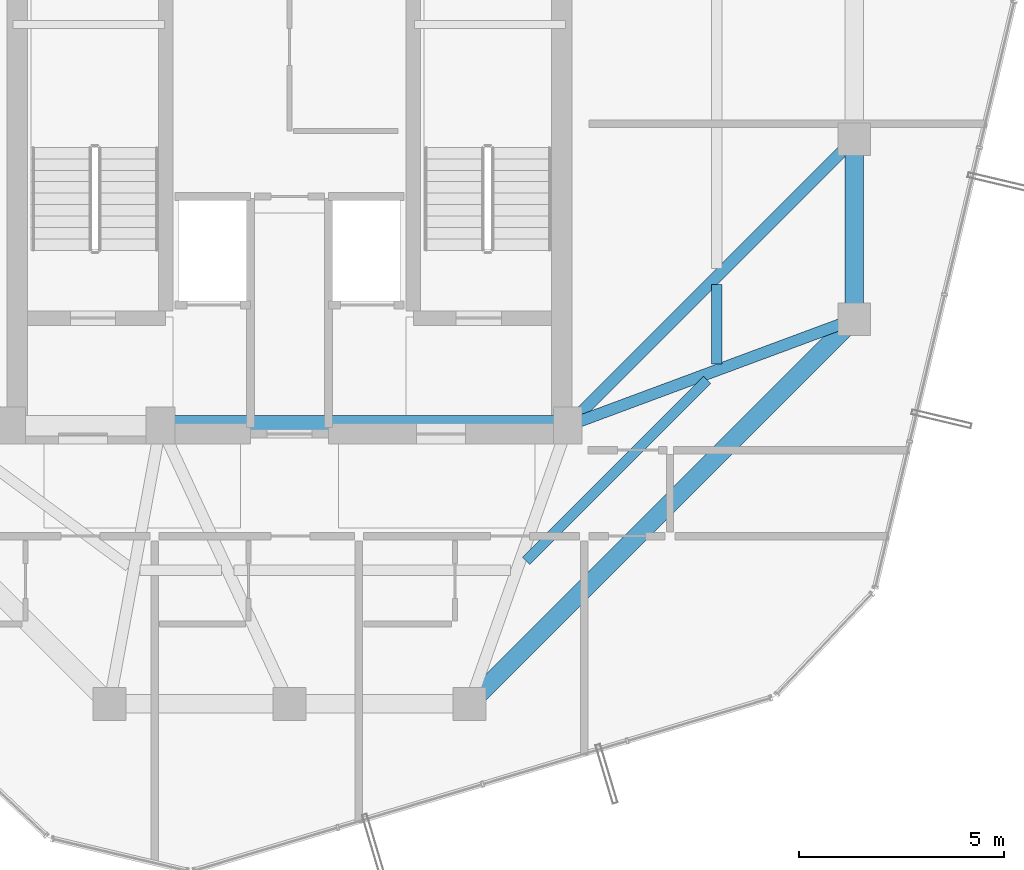
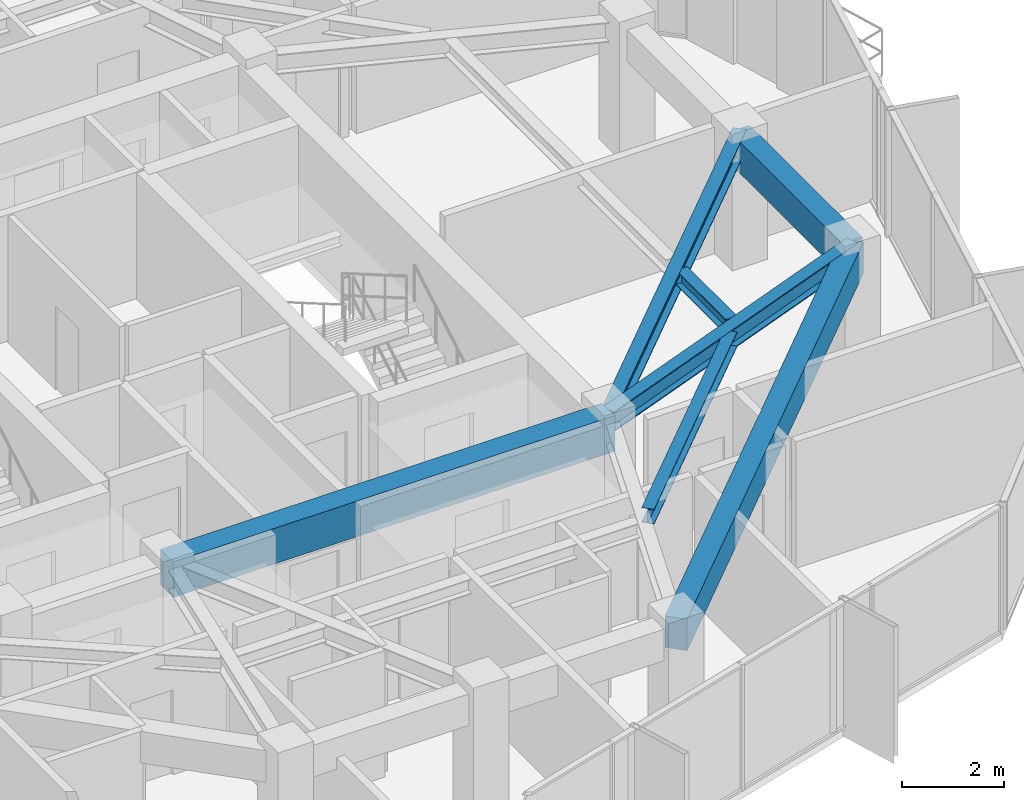
# One storey, part 10 of 28: 7 beams.
"""IFC4 building model written with IfcOpenShell, lengths in metres."""

from ifc_helpers import new_model, si_unit, direction, frame, origin, origin_2d, place, context, subcontext, project, spatial, rectangle, i_section, extrude, material, material_profile, profile_set, type_object, element, save


model = new_model("IFC4")

# Units and contexts
model_context = context("Model", 3, precision=1e-05, world=origin(), true_north=direction((0.0, 1.0)))
body_context = subcontext(model_context, "Body", "Model", "MODEL_VIEW")
ifc_project = project(units=[si_unit("LENGTHUNIT", "METRE"), si_unit("AREAUNIT", "SQUARE_METRE"), si_unit("VOLUMEUNIT", "CUBIC_METRE"), si_unit("PLANEANGLEUNIT", "RADIAN"), si_unit("MASSUNIT", "GRAM", prefix="KILO")], contexts=[model_context])

# Site, building, storey
site_placement = place(None, origin())
site = spatial("IfcSite", under=ifc_project, at=site_placement, CompositionType="ELEMENT")
building_placement = place(site_placement, origin())
building = spatial("IfcBuilding", under=site, at=building_placement, Name="Veraguas Prism Commons", CompositionType="ELEMENT")
storey_placement = place(building_placement, frame((0.0, 0.0, 254.5)))
storey = spatial("IfcBuildingStorey", under=building, at=storey_placement, Name="L72", CompositionType="ELEMENT", Elevation=254.5)

# Beams
ifc_material_1 = material(Name="Concrete C50/60", Category="concrete")
ifc_material_profile_1 = material_profile(ifc_material_1, rectangle(XDim=0.5, YDim=0.85009765625, at=origin_2d()), Name="RC500X850")
ifc_profile_set_1 = profile_set([ifc_material_profile_1], Name="Concrete C50/60")
beam_type_1 = type_object("IfcBeamType", Name="Core Coupling Beam RC 500x850", PredefinedType="BEAM", material=ifc_profile_set_1)
beam_1_placement = place(storey_placement, frame((20.85009765625, 17.0, 2.590087890625), z_axis=(1.0, 0.0, 0.0), x_axis=(0.0, 1.0, 0.0)))
element("IfcBeam", 1, at=beam_1_placement, inside=storey, type_object=beam_type_1, Name="Core Coupling Beam L72-CRS2", PredefinedType="BEAM", context=body_context, shape_type="SweptSolid", body=[
    extrude(rectangle(XDim=0.5, YDim=0.85009765625, at=origin_2d()), origin(), (0.0, 0.0, 1.0), 9.949951171875),
])
ifc_material_profile_2 = material_profile(ifc_material_1, rectangle(XDim=0.449951171875, YDim=0.75, at=origin_2d()), Name="RC450X750")
ifc_profile_set_2 = profile_set([ifc_material_profile_2], Name="Concrete C50/60")
beam_type_2 = type_object("IfcBeamType", Name="Perimeter Spandrel Upper RC 450x750", PredefinedType="SPANDREL", material=ifc_profile_set_2)
beam_2_placement = place(storey_placement, frame((37.800048828125, 19.60009765625, 2.639892578125), z_axis=(0.0, 1.0, 0.0), x_axis=(-1.0, 0.0, 0.0)))
element("IfcBeam", 2, at=beam_2_placement, inside=storey, type_object=beam_type_2, Name="Perimeter Spandrel Beam L72-SP01", PredefinedType="SPANDREL", context=body_context, shape_type="SweptSolid", body=[
    extrude(rectangle(XDim=0.449951171875, YDim=0.75, at=origin_2d()), origin(), (0.0, 0.0, 1.0), 4.39990234375),
])
beam_3_placement = place(storey_placement, frame((28.39990234375, 10.199951171875, 2.639892578125), z_axis=(0.707106781187, 0.707106781187, 0.0), x_axis=(-0.707106781187, 0.707106781187, 0.0)))
element("IfcBeam", 3, at=beam_3_placement, inside=storey, type_object=beam_type_2, Name="Perimeter Spandrel Beam L72-SP12", PredefinedType="SPANDREL", context=body_context, shape_type="SweptSolid", body=[
    extrude(rectangle(XDim=0.449951171875, YDim=0.75, at=origin_2d()), origin(), (0.0, 0.0, 1.0), 13.293701171875),
])
ifc_material_2 = material(Name="Steel ASTM A992 Grade 50", Category="steel")
ifc_material_profile_3 = material_profile(ifc_material_2, i_section(OverallWidth=0.25390625, OverallDepth=0.35302734375, WebThickness=0.009521484375, FlangeThickness=0.016357421875, at=origin_2d()), Name="W360X91")
ifc_profile_set_3 = profile_set([ifc_material_profile_3], Name="Steel ASTM A992 Grade 50")
beam_type_3 = type_object("IfcBeamType", Name="Upper Floor Joist W360x91", PredefinedType="JOIST", material=ifc_profile_set_3)
beam_4_placement = place(storey_placement, frame((34.43994140625, 18.500732421875, 2.83837890625), z_axis=(0.0, 1.0, 0.0), x_axis=(-1.0, 0.0, 0.0)))
element("IfcBeam", 4, at=beam_4_placement, inside=storey, type_object=beam_type_3, Name="Composite Floor Joist L72-JS01", PredefinedType="JOIST", context=body_context, shape_type="SweptSolid", body=[
    extrude(i_section(OverallWidth=0.25390625, OverallDepth=0.35302734375, WebThickness=0.009521484375, FlangeThickness=0.016357421875, at=origin_2d()), origin(), (0.0, 0.0, 1.0), 1.94189453125),
])
beam_5_placement = place(storey_placement, frame((29.780517578125, 13.692626953125, 2.83837890625), z_axis=(0.707126297541, 0.707087264294, 0.0), x_axis=(-0.707087264294, 0.707126297541, 0.0)))
element("IfcBeam", 5, at=beam_5_placement, inside=storey, type_object=beam_type_3, Name="Composite Floor Joist L72-JS12", PredefinedType="JOIST", context=body_context, shape_type="SweptSolid", body=[
    extrude(i_section(OverallWidth=0.25390625, OverallDepth=0.35302734375, WebThickness=0.009521484375, FlangeThickness=0.016357421875, at=origin_2d()), origin(), (0.0, 0.0, 1.0), 6.254638671875),
])
ifc_material_profile_4 = material_profile(ifc_material_2, i_section(OverallWidth=0.282958984375, OverallDepth=0.471923828125, WebThickness=0.013671875, FlangeThickness=0.022216796875, at=origin_2d()), Name="W460X144")
ifc_profile_set_4 = profile_set([ifc_material_profile_4], Name="Steel ASTM A992 Grade 50")
beam_type_4 = type_object("IfcBeamType", Name="Zone 4 Radial Girder W460x144", PredefinedType="BEAM", material=ifc_profile_set_4)
beam_6_placement = place(storey_placement, frame((37.800048828125, 19.60009765625, 2.779052734375), z_axis=(-0.937421003341, -0.348198021958, 0.0), x_axis=(0.348198021958, -0.937421003341, 0.0)))
element("IfcBeam", 6, at=beam_6_placement, inside=storey, type_object=beam_type_4, Name="Radial Floor Girder L72-RD01", PredefinedType="BEAM", context=body_context, shape_type="SweptSolid", body=[
    extrude(i_section(OverallWidth=0.282958984375, OverallDepth=0.471923828125, WebThickness=0.013671875, FlangeThickness=0.022216796875, at=origin_2d()), origin(), (0.0, 0.0, 1.0), 7.46728515625),
])
beam_7_placement = place(storey_placement, frame((37.800048828125, 24.0, 2.779052734375), z_axis=(-0.707106781187, -0.707106781187, 0.0), x_axis=(0.707106781187, -0.707106781187, 0.0)))
element("IfcBeam", 7, at=beam_7_placement, inside=storey, type_object=beam_type_4, Name="Radial Floor Girder L72-RD02", PredefinedType="BEAM", context=body_context, shape_type="SweptSolid", body=[
    extrude(i_section(OverallWidth=0.282958984375, OverallDepth=0.471923828125, WebThickness=0.013671875, FlangeThickness=0.022216796875, at=origin_2d()), origin(), (0.0, 0.0, 1.0), 9.8994140625),
])

save(model, "model.ifc")
